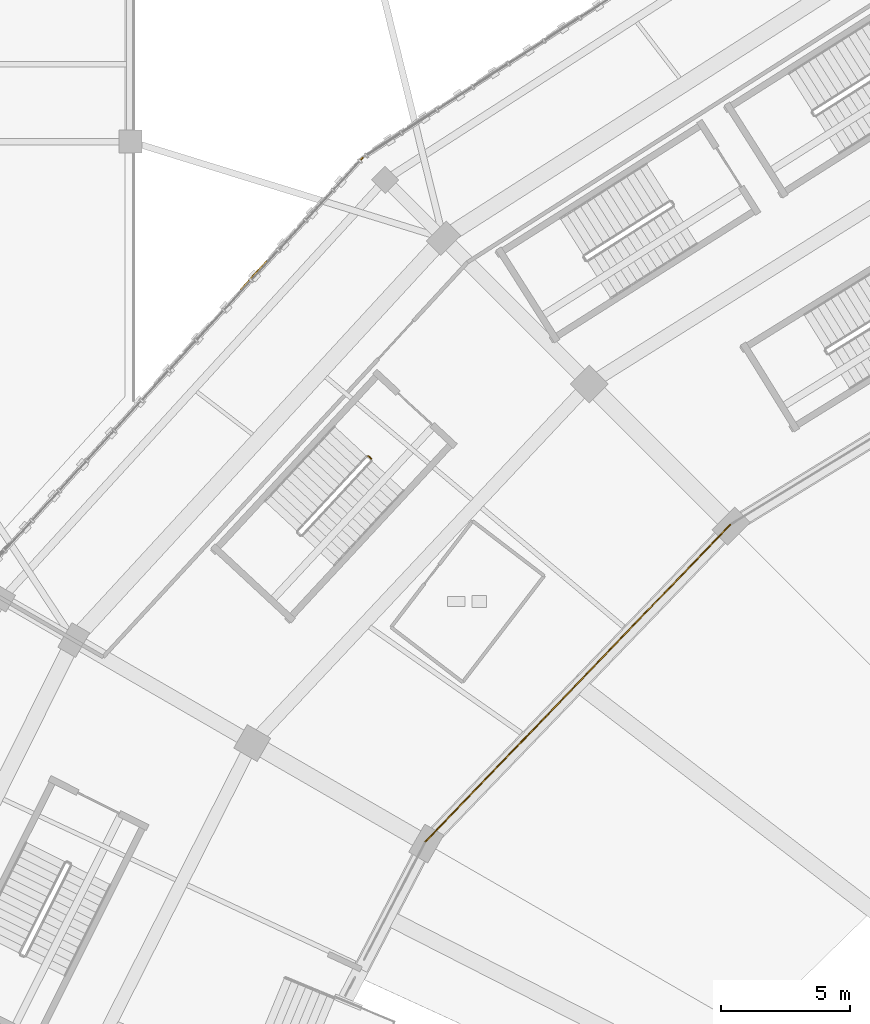
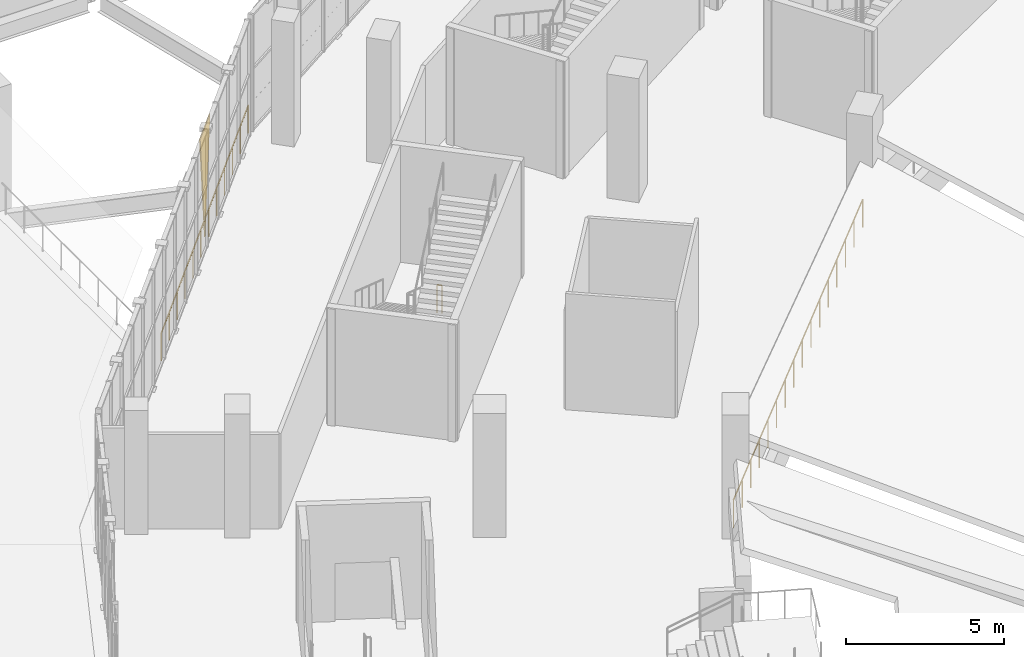
# One storey, part 160 of 183: 3 railings, 1 covering.
"""IFC4 building model written with IfcOpenShell, lengths in metres."""

from ifc_helpers import new_model, si_unit, direction, frame, origin, origin_2d, place, context, subcontext, project, spatial, polyline, circle, outline, extrude, material, layer, layer_set, type_object, element, save


model = new_model("IFC4")

# Units and contexts
model_context = context("Model", 3, precision=1e-05, world=origin(), true_north=direction((0.0, 1.0)))
body_context = subcontext(model_context, "Body", "Model", "MODEL_VIEW")
ifc_project = project(units=[si_unit("LENGTHUNIT", "METRE"), si_unit("AREAUNIT", "SQUARE_METRE"), si_unit("VOLUMEUNIT", "CUBIC_METRE"), si_unit("PLANEANGLEUNIT", "RADIAN"), si_unit("MASSUNIT", "GRAM", prefix="KILO")], contexts=[model_context])

# Site, building, storey
site_placement = place(None, origin())
site = spatial("IfcSite", under=ifc_project, at=site_placement, CompositionType="ELEMENT")
building_placement = place(site_placement, origin())
building = spatial("IfcBuilding", under=site, at=building_placement, Name="Zevraka Park Crest Stadium", CompositionType="ELEMENT")
storey_placement = place(building_placement, frame((0.0, 0.0, 5.39990234375)))
storey = spatial("IfcBuildingStorey", under=building, at=storey_placement, Name="L01", CompositionType="ELEMENT", Elevation=5.39990234375)

# Covering
ifc_material_1 = material(Name="Architectural golden-bronze perforated aluminium", Category="aluminium")
ifc_layer = layer(ifc_material_1, 0.034912109375)
ifc_layer_set = layer_set([ifc_layer], Name="Architectural golden-bronze perforated aluminium")
covering_type = type_object("IfcCoveringType", Name="CLD01", PredefinedType="CLADDING", material=ifc_layer_set)
covering_placement = place(storey_placement, frame((40.26806640625, 143.27294921875, 4.5), z_axis=(-0.739257935755, 0.673422381884, 0.0), x_axis=(0.673422381884, 0.739257935755, 0.0)))
element("IfcCovering", 1, at=covering_placement, inside=storey, type_object=covering_type, Name="Triangular Golden-Bronze Perforated Cladding L01-09-4", PredefinedType="CLADDING", context=body_context, shape_type="SweptSolid", body=[
    extrude(outline(polyline([(0.0, 0.0), (1.4907527237079923, 0.0), (0.7453763618539961, 4.27978515625), (0.0, 0.0)])), origin(), (0.0, 0.0, -1.0), 0.034912109375),
])

# Railings
ifc_material_2 = material(Name="Galvanised and bronze-finished steel balustrade", Category="steel")
railing_type_1 = type_object("IfcRailingType", Name="GR01", PredefinedType="GUARDRAIL", material=ifc_material_2)
railing_1_placement = place(storey_placement, frame((59.279052734375, 134.12890625, 0.0)))
element("IfcRailing", 2, at=railing_1_placement, inside=storey, type_object=railing_type_1, Name="Deck Edge Protection Guardrail GR01 L01-94", PredefinedType="GUARDRAIL", context=body_context, shape_type="SweptSolid", body=[
    extrude(circle(Radius=0.02392578125, at=origin_2d()), frame((0.0, 0.0, 1.076171875), z_axis=(-0.692883005773, -0.72105002622, 0.0), x_axis=(0.72105002622, -0.692883005773, 0.0)), (0.0, 0.0, 1.0), 17.10107421875),
    extrude(circle(Radius=0.02099609375, at=origin_2d()), origin(), (0.0, 0.0, 1.0), 1.052001953125),
    extrude(circle(Radius=0.02099609375, at=origin_2d()), frame((-0.7900390625, -0.822021484375, 0.0)), (0.0, 0.0, 1.0), 1.052001953125),
    extrude(circle(Radius=0.02099609375, at=origin_2d()), frame((-1.579833984375, -1.64404296875, 0.0)), (0.0, 0.0, 1.0), 1.052001953125),
    extrude(circle(Radius=0.02099609375, at=origin_2d()), frame((-2.369873046875, -2.466064453125, 0.0)), (0.0, 0.0, 1.0), 1.052001953125),
    extrude(circle(Radius=0.02099609375, at=origin_2d()), frame((-3.15966796875, -3.288330078125, 0.0)), (0.0, 0.0, 1.0), 1.052001953125),
    extrude(circle(Radius=0.02099609375, at=origin_2d()), frame((-3.94970703125, -4.1103515625, 0.0)), (0.0, 0.0, 1.0), 1.052001953125),
    extrude(circle(Radius=0.02099609375, at=origin_2d()), frame((-4.73974609375, -4.932373046875, 0.0)), (0.0, 0.0, 1.0), 1.052001953125),
    extrude(circle(Radius=0.02099609375, at=origin_2d()), frame((-5.529541015625, -5.75439453125, 0.0)), (0.0, 0.0, 1.0), 1.052001953125),
    extrude(circle(Radius=0.02099609375, at=origin_2d()), frame((-6.319580078125, -6.576416015625, 0.0)), (0.0, 0.0, 1.0), 1.052001953125),
    extrude(circle(Radius=0.02099609375, at=origin_2d()), frame((-7.109375, -7.3984375, 0.0)), (0.0, 0.0, 1.0), 1.052001953125),
    extrude(circle(Radius=0.02099609375, at=origin_2d()), frame((-7.8994140625, -8.220458984375, 0.0)), (0.0, 0.0, 1.0), 1.052001953125),
    extrude(circle(Radius=0.02099609375, at=origin_2d()), frame((-8.689453125, -9.04248046875, 0.0)), (0.0, 0.0, 1.0), 1.052001953125),
    extrude(circle(Radius=0.02099609375, at=origin_2d()), frame((-9.479248046875, -9.86474609375, 0.0)), (0.0, 0.0, 1.0), 1.052001953125),
    extrude(circle(Radius=0.02099609375, at=origin_2d()), frame((-10.269287109375, -10.686767578125, 0.0)), (0.0, 0.0, 1.0), 1.052001953125),
    extrude(circle(Radius=0.02099609375, at=origin_2d()), frame((-11.05908203125, -11.5087890625, 0.0)), (0.0, 0.0, 1.0), 1.052001953125),
    extrude(circle(Radius=0.02099609375, at=origin_2d()), frame((-11.84912109375, -12.330810546875, 0.0)), (0.0, 0.0, 1.0), 1.052001953125),
])
railing_2_placement = place(storey_placement, frame((36.3310546875, 138.85009765625, 0.0)))
element("IfcRailing", 3, at=railing_2_placement, inside=storey, type_object=railing_type_1, Name="Deck Edge Protection Guardrail GR01 L01-110", PredefinedType="GUARDRAIL", context=body_context, shape_type="SweptSolid", body=[
    extrude(circle(Radius=0.02392578125, at=origin_2d()), frame((0.0, 0.0, 1.076171875), z_axis=(0.67367839062, 0.739024645064, 0.0), x_axis=(-0.739024645064, 0.67367839062, 0.0)), (0.0, 0.0, 1.0), 12.8857421875),
    extrude(circle(Radius=0.02099609375, at=origin_2d()), origin(), (0.0, 0.0, 1.0), 1.052001953125),
    extrude(circle(Radius=0.02099609375, at=origin_2d()), frame((0.7890625, 0.86572265625, 0.0)), (0.0, 0.0, 1.0), 1.052001953125),
    extrude(circle(Radius=0.02099609375, at=origin_2d()), frame((1.578369140625, 1.7314453125, 0.0)), (0.0, 0.0, 1.0), 1.052001953125),
    extrude(circle(Radius=0.02099609375, at=origin_2d()), frame((2.367431640625, 2.59716796875, 0.0)), (0.0, 0.0, 1.0), 1.052001953125),
    extrude(circle(Radius=0.02099609375, at=origin_2d()), frame((3.15673828125, 3.462890625, 0.0)), (0.0, 0.0, 1.0), 1.052001953125),
    extrude(circle(Radius=0.02099609375, at=origin_2d()), frame((3.94580078125, 4.32861328125, 0.0)), (0.0, 0.0, 1.0), 1.052001953125),
    extrude(circle(Radius=0.02099609375, at=origin_2d()), frame((4.735107421875, 5.1943359375, 0.0)), (0.0, 0.0, 1.0), 1.052001953125),
    extrude(circle(Radius=0.02099609375, at=origin_2d()), frame((5.524169921875, 6.06005859375, 0.0)), (0.0, 0.0, 1.0), 1.052001953125),
    extrude(circle(Radius=0.02099609375, at=origin_2d()), frame((6.3134765625, 6.92578125, 0.0)), (0.0, 0.0, 1.0), 1.052001953125),
    extrude(circle(Radius=0.02099609375, at=origin_2d()), frame((7.1025390625, 7.79150390625, 0.0)), (0.0, 0.0, 1.0), 1.052001953125),
    extrude(circle(Radius=0.02099609375, at=origin_2d()), frame((7.891845703125, 8.6572265625, 0.0)), (0.0, 0.0, 1.0), 1.052001953125),
    extrude(circle(Radius=0.02099609375, at=origin_2d()), frame((8.680908203125, 9.52294921875, 0.0)), (0.0, 0.0, 1.0), 1.052001953125),
])
ifc_material_3 = material(Name="Powder-coated tubular steel stairwell guard", Category="steel")
railing_type_2 = type_object("IfcRailingType", Name="GR03", PredefinedType="GUARDRAIL", material=ifc_material_3)
railing_3_placement = place(storey_placement, frame((45.23583984375, 136.789794921875, 0.0)))
element("IfcRailing", 4, at=railing_3_placement, inside=storey, type_object=railing_type_2, Name="L01 ST10 stair guard 4", PredefinedType="GUARDRAIL", context=body_context, shape_type="SweptSolid", body=[
    extrude(circle(Radius=0.02392578125, at=origin_2d()), frame((0.0, 0.0, 1.076171875), z_axis=(0.732576022975, -0.680685221348, 0.0), x_axis=(0.680685221348, 0.732576022975, 0.0)), (0.0, 0.0, 1.0), 0.159912109375),
    extrude(circle(Radius=0.02099609375, at=origin_2d()), origin(), (0.0, 0.0, 1.0), 1.052001953125),
    extrude(circle(Radius=0.02099609375, at=origin_2d()), frame((0.1171875, -0.10888671875, 0.0)), (0.0, 0.0, 1.0), 1.052001953125),
])

save(model, "model.ifc")
